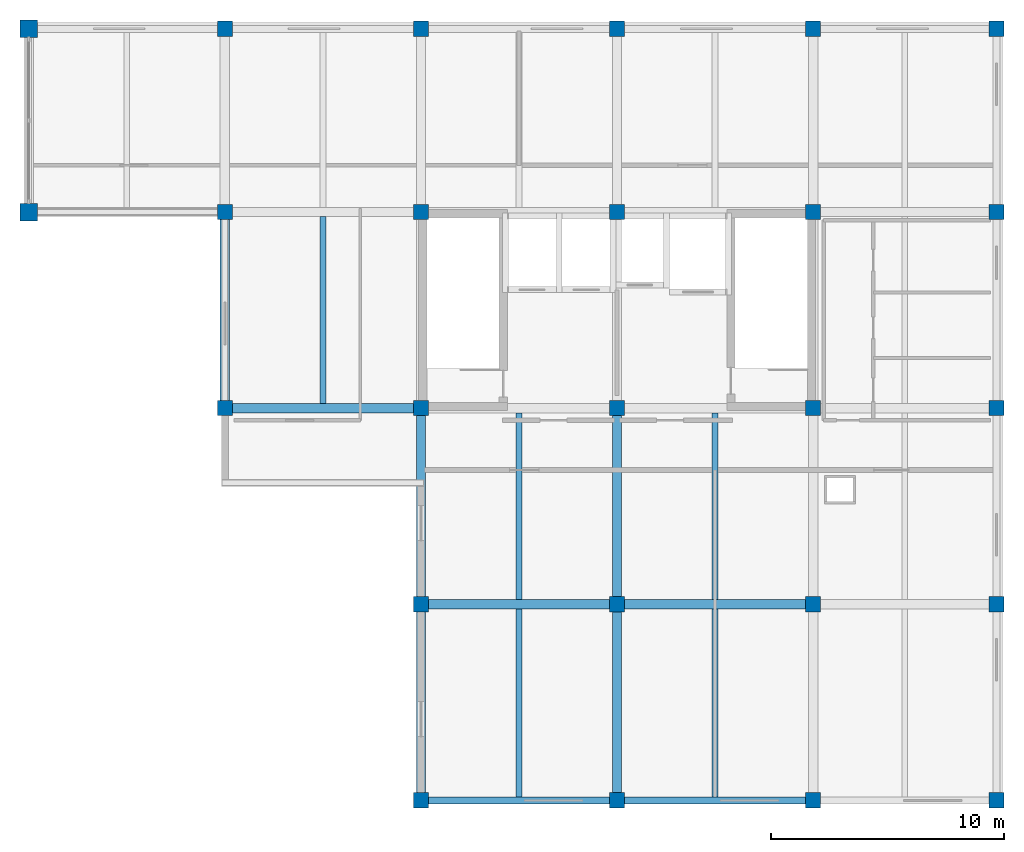
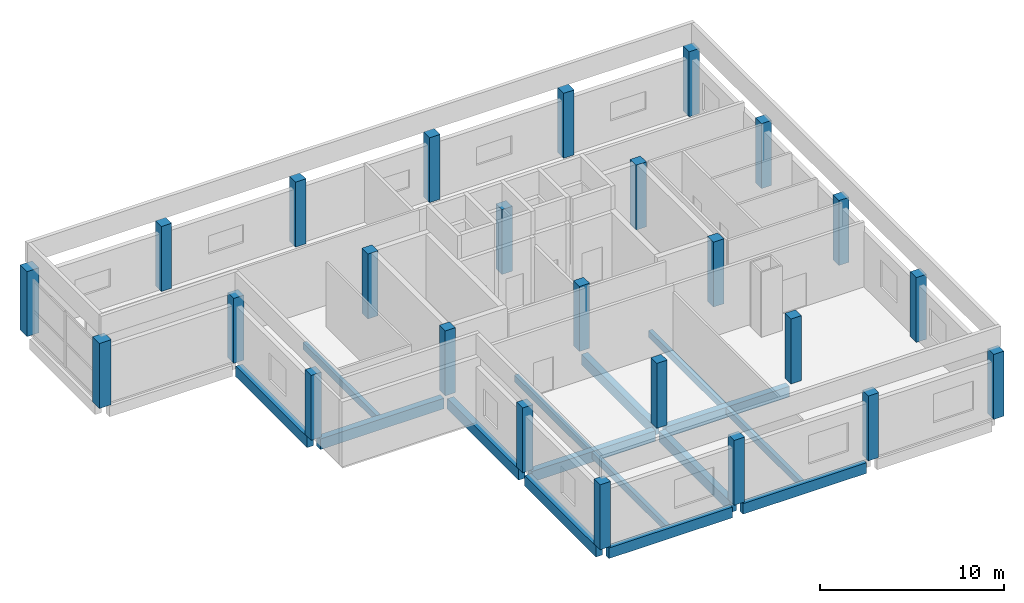
# One storey, part 1 of 8: 25 columns, 15 beams.
"""IFC4 building model written with IfcOpenShell, lengths in metres."""

from ifc_helpers import new_model, si_unit, direction, frame, origin, origin_2d, place, context, subcontext, project, spatial, rectangle, extrude, material, material_profile, profile_set, type_object, element, save


model = new_model("IFC4")

# Units and contexts
model_context = context("Model", 3, precision=1e-05, world=origin(), true_north=direction((0.0, 1.0)))
body_context = subcontext(model_context, "Body", "Model", "MODEL_VIEW")
ifc_project = project(units=[si_unit("LENGTHUNIT", "METRE"), si_unit("AREAUNIT", "SQUARE_METRE"), si_unit("VOLUMEUNIT", "CUBIC_METRE"), si_unit("PLANEANGLEUNIT", "RADIAN"), si_unit("MASSUNIT", "GRAM", prefix="KILO")], contexts=[model_context])

# Site, building, storey
site_placement = place(None, origin())
site = spatial("IfcSite", under=ifc_project, at=site_placement, CompositionType="ELEMENT")
building_placement = place(site_placement, origin())
building = spatial("IfcBuilding", under=site, at=building_placement, Name="Brinegate Botanical Conservatory", CompositionType="ELEMENT")
storey_placement = place(building_placement, frame((0.0, 0.0, 65.699951171875)))
storey = spatial("IfcBuildingStorey", under=building, at=storey_placement, Name="L16", CompositionType="ELEMENT", Elevation=65.699951171875)

# Columns
ifc_material = material(Name="Concrete C40/50", Category="concrete")
ifc_material_profile_1 = material_profile(ifc_material, rectangle(XDim=0.75, YDim=0.75, at=origin_2d()), Name="RC COL 750x750")
ifc_profile_set_1 = profile_set([ifc_material_profile_1], Name="Concrete C40/50")
column_type_1 = type_object("IfcColumnType", Name="Col_C-T4", PredefinedType="COLUMN", material=ifc_profile_set_1)
for number, where, z_axis, x_axis, name in (
    (1, (122.0, 103.60009765625, 0.0), (0.0, 0.0, 1.0), (1.0, 0.0, 0.0), "Column C-T4 L16 N-16"),
    (2, (122.0, 111.449951171875, 0.0), (0.0, 0.0, 1.0), (1.0, 0.0, 0.0), "Column C-T4 L16 P-16"),
):
    element("IfcColumn", number, at=place(storey_placement, frame(where, z_axis=z_axis, x_axis=x_axis)), inside=storey, type_object=column_type_1, Name=name, PredefinedType="COLUMN", context=body_context, shape_type="SweptSolid", body=[
        extrude(rectangle(XDim=0.75, YDim=0.75, at=origin_2d()), origin(), (0.0, 0.0, 1.0), 4.300048828125),
    ])
ifc_material_profile_2 = material_profile(ifc_material, rectangle(XDim=0.64990234375, YDim=0.64990234375, at=origin_2d()), Name="RC COL 650x650")
ifc_profile_set_2 = profile_set([ifc_material_profile_2], Name="Concrete C40/50")
column_type_2 = type_object("IfcColumnType", Name="Col_C-T5", PredefinedType="COLUMN", material=ifc_profile_set_2)
for number, where, z_axis, x_axis, name in (
    (3, (130.39990234375, 95.199951171875, 0.0), (0.0, 0.0, 1.0), (1.0, 0.0, 0.0), "Column C-T5 L16 M-17"),
    (4, (130.39990234375, 103.60009765625, 0.0), (0.0, 0.0, 1.0), (1.0, 0.0, 0.0), "Column C-T5 L16 N-17"),
    (5, (130.39990234375, 111.449951171875, 0.0), (0.0, 0.0, 1.0), (1.0, 0.0, 0.0), "Column C-T5 L16 P-17"),
    (6, (138.800048828125, 78.39990234375, 0.0), (0.0, 0.0, 1.0), (1.0, 0.0, 0.0), "Column C-T5 L16 K-18"),
    (7, (138.800048828125, 86.800048828125, 0.0), (0.0, 0.0, 1.0), (1.0, 0.0, 0.0), "Column C-T5 L16 L-18"),
    (8, (138.800048828125, 95.199951171875, 0.0), (0.0, 0.0, 1.0), (1.0, 0.0, 0.0), "Column C-T5 L16 M-18"),
    (9, (138.800048828125, 103.60009765625, 0.0), (0.0, 0.0, 1.0), (1.0, 0.0, 0.0), "Column C-T5 L16 N-18"),
    (10, (138.800048828125, 111.449951171875, 0.0), (0.0, 0.0, 1.0), (1.0, 0.0, 0.0), "Column C-T5 L16 P-18"),
    (11, (147.199951171875, 78.39990234375, 0.0), (0.0, 0.0, 1.0), (1.0, 0.0, 0.0), "Column C-T5 L16 K-19"),
    (12, (147.199951171875, 86.800048828125, 0.0), (0.0, 0.0, 1.0), (1.0, 0.0, 0.0), "Column C-T5 L16 L-19"),
    (13, (147.199951171875, 95.199951171875, 0.0), (0.0, 0.0, 1.0), (1.0, 0.0, 0.0), "Column C-T5 L16 M-19"),
    (14, (147.199951171875, 103.60009765625, 0.0), (0.0, 0.0, 1.0), (1.0, 0.0, 0.0), "Column C-T5 L16 N-19"),
    (15, (147.199951171875, 111.449951171875, 0.0), (0.0, 0.0, 1.0), (1.0, 0.0, 0.0), "Column C-T5 L16 P-19"),
    (16, (155.60009765625, 78.39990234375, 0.0), (0.0, 0.0, 1.0), (1.0, 0.0, 0.0), "Column C-T5 L16 K-20"),
    (17, (155.60009765625, 86.800048828125, 0.0), (0.0, 0.0, 1.0), (1.0, 0.0, 0.0), "Column C-T5 L16 L-20"),
    (18, (155.60009765625, 95.199951171875, 0.0), (0.0, 0.0, 1.0), (1.0, 0.0, 0.0), "Column C-T5 L16 M-20"),
    (19, (155.60009765625, 103.60009765625, 0.0), (0.0, 0.0, 1.0), (1.0, 0.0, 0.0), "Column C-T5 L16 N-20"),
    (20, (155.60009765625, 111.449951171875, 0.0), (0.0, 0.0, 1.0), (1.0, 0.0, 0.0), "Column C-T5 L16 P-20"),
    (21, (163.449951171875, 78.39990234375, 0.0), (0.0, 0.0, 1.0), (1.0, 0.0, 0.0), "Column C-T5 L16 K-21"),
    (22, (163.449951171875, 86.800048828125, 0.0), (0.0, 0.0, 1.0), (1.0, 0.0, 0.0), "Column C-T5 L16 L-21"),
    (23, (163.449951171875, 95.199951171875, 0.0), (0.0, 0.0, 1.0), (1.0, 0.0, 0.0), "Column C-T5 L16 M-21"),
    (24, (163.449951171875, 103.60009765625, 0.0), (0.0, 0.0, 1.0), (1.0, 0.0, 0.0), "Column C-T5 L16 N-21"),
    (25, (163.449951171875, 111.449951171875, 0.0), (0.0, 0.0, 1.0), (1.0, 0.0, 0.0), "Column C-T5 L16 P-21"),
):
    element("IfcColumn", number, at=place(storey_placement, frame(where, z_axis=z_axis, x_axis=x_axis)), inside=storey, type_object=column_type_2, Name=name, PredefinedType="COLUMN", context=body_context, shape_type="SweptSolid", body=[
        extrude(rectangle(XDim=0.64990234375, YDim=0.64990234375, at=origin_2d()), origin(), (0.0, 0.0, 1.0), 4.300048828125),
    ])

# Beams
ifc_material_profile_3 = material_profile(ifc_material, rectangle(XDim=0.39990234375, YDim=0.699951171875, at=origin_2d()), Name="RC BM 400x700")
ifc_profile_set_3 = profile_set([ifc_material_profile_3], Name="Concrete C40/50")
beam_type_1 = type_object("IfcBeamType", Name="Beam_BM-T2", PredefinedType="BEAM", material=ifc_profile_set_3)
for number, where, z_axis, x_axis, name in (
    (26, (139.125, 86.800048828125, -0.570068359375), (1.0, 0.0, 0.0), (0.0, 1.0, 0.0), "Beam BM-T2 L16 L:18-19"),
    (27, (147.52490234375, 86.800048828125, -0.570068359375), (1.0, 0.0, 0.0), (0.0, 1.0, 0.0), "Beam BM-T2 L16 L:19-20"),
    (28, (130.72509765625, 95.199951171875, -0.570068359375), (1.0, 0.0, 0.0), (0.0, 1.0, 0.0), "Beam BM-T2 L16 M:17-18"),
    (29, (130.39990234375, 95.52490234375, -0.570068359375), (0.0, 1.0, 0.0), (-1.0, 0.0, 0.0), "Beam BM-T2 L16 17:M-N"),
    (30, (138.800048828125, 78.72509765625, -0.570068359375), (0.0, 1.0, 0.0), (-1.0, 0.0, 0.0), "Beam BM-T2 L16 18:K-L"),
    (31, (138.800048828125, 87.125, -0.570068359375), (0.0, 1.0, 0.0), (-1.0, 0.0, 0.0), "Beam BM-T2 L16 18:L-M"),
    (32, (147.199951171875, 78.72509765625, -0.570068359375), (0.0, 1.0, 0.0), (-1.0, 0.0, 0.0), "Beam BM-T2 L16 19:K-L"),
    (33, (147.199951171875, 87.125, -0.570068359375), (0.0, 1.0, 0.0), (-1.0, 0.0, 0.0), "Beam BM-T2 L16 19:L-M"),
):
    element("IfcBeam", number, at=place(storey_placement, frame(where, z_axis=z_axis, x_axis=x_axis)), inside=storey, type_object=beam_type_1, Name=name, PredefinedType="BEAM", context=body_context, shape_type="SweptSolid", body=[
        extrude(rectangle(XDim=0.39990234375, YDim=0.699951171875, at=origin_2d()), origin(), (0.0, 0.0, 1.0), 7.75),
    ])
ifc_material_profile_4 = material_profile(ifc_material, rectangle(XDim=0.25, YDim=0.449951171875, at=origin_2d()), Name="RC JST 250x450")
ifc_profile_set_4 = profile_set([ifc_material_profile_4], Name="Concrete C40/50")
beam_type_2 = type_object("IfcBeamType", Name="Beam_JS-C3", PredefinedType="JOIST", material=ifc_profile_set_4)
beam_1_placement = place(storey_placement, frame((134.60009765625, 95.39990234375, -0.445068359375), z_axis=(0.0, 1.0, 0.0), x_axis=(-1.0, 0.0, 0.0)))
element("IfcBeam", 34, at=beam_1_placement, inside=storey, type_object=beam_type_2, Name="Floor joist JS-C3 L16 bay 17.12", PredefinedType="JOIST", context=body_context, shape_type="SweptSolid", body=[
    extrude(rectangle(XDim=0.25, YDim=0.449951171875, at=origin_2d()), origin(), (0.0, 0.0, 1.0), 8.0),
])
beam_2_placement = place(storey_placement, frame((143.0, 78.550048828125, -0.445068359375), z_axis=(0.0, 1.0, 0.0), x_axis=(-1.0, 0.0, 0.0)))
element("IfcBeam", 35, at=beam_2_placement, inside=storey, type_object=beam_type_2, Name="Floor joist JS-C3 L16 bay 18.10", PredefinedType="JOIST", context=body_context, shape_type="SweptSolid", body=[
    extrude(rectangle(XDim=0.25, YDim=0.449951171875, at=origin_2d()), origin(), (0.0, 0.0, 1.0), 8.050048828125),
])
beam_3_placement = place(storey_placement, frame((143.0, 87.0, -0.445068359375), z_axis=(0.0, 1.0, 0.0), x_axis=(-1.0, 0.0, 0.0)))
element("IfcBeam", 36, at=beam_3_placement, inside=storey, type_object=beam_type_2, Name="Floor joist JS-C3 L16 bay 18.11", PredefinedType="JOIST", context=body_context, shape_type="SweptSolid", body=[
    extrude(rectangle(XDim=0.25, YDim=0.449951171875, at=origin_2d()), origin(), (0.0, 0.0, 1.0), 8.0),
])
beam_4_placement = place(storey_placement, frame((151.39990234375, 78.550048828125, -0.445068359375), z_axis=(0.0, 1.0, 0.0), x_axis=(-1.0, 0.0, 0.0)))
element("IfcBeam", 37, at=beam_4_placement, inside=storey, type_object=beam_type_2, Name="Floor joist JS-C3 L16 bay 19.10", PredefinedType="JOIST", context=body_context, shape_type="SweptSolid", body=[
    extrude(rectangle(XDim=0.25, YDim=0.449951171875, at=origin_2d()), origin(), (0.0, 0.0, 1.0), 8.050048828125),
])
beam_5_placement = place(storey_placement, frame((151.39990234375, 87.0, -0.445068359375), z_axis=(0.0, 1.0, 0.0), x_axis=(-1.0, 0.0, 0.0)))
element("IfcBeam", 38, at=beam_5_placement, inside=storey, type_object=beam_type_2, Name="Floor joist JS-C3 L16 bay 19.11", PredefinedType="JOIST", context=body_context, shape_type="SweptSolid", body=[
    extrude(rectangle(XDim=0.25, YDim=0.449951171875, at=origin_2d()), origin(), (0.0, 0.0, 1.0), 8.0),
])
ifc_material_profile_5 = material_profile(ifc_material, rectangle(XDim=0.300048828125, YDim=0.699951171875, at=origin_2d()), Name="RC SPN 300x700")
ifc_profile_set_5 = profile_set([ifc_material_profile_5], Name="Concrete C40/50")
beam_type_3 = type_object("IfcBeamType", Name="Beam_SP-02", PredefinedType="SPANDREL", material=ifc_profile_set_5)
for number, where, z_axis, x_axis, name in (
    (39, (139.125, 78.39990234375, -0.570068359375), (1.0, 0.0, 0.0), (0.0, 1.0, 0.0), "Beam SP-02 L16 K:18-19"),
    (40, (147.52490234375, 78.39990234375, -0.570068359375), (1.0, 0.0, 0.0), (0.0, 1.0, 0.0), "Beam SP-02 L16 K:19-20"),
):
    element("IfcBeam", number, at=place(storey_placement, frame(where, z_axis=z_axis, x_axis=x_axis)), inside=storey, type_object=beam_type_3, Name=name, PredefinedType="SPANDREL", context=body_context, shape_type="SweptSolid", body=[
        extrude(rectangle(XDim=0.300048828125, YDim=0.699951171875, at=origin_2d()), origin(), (0.0, 0.0, 1.0), 7.75),
    ])

save(model, "model.ifc")
